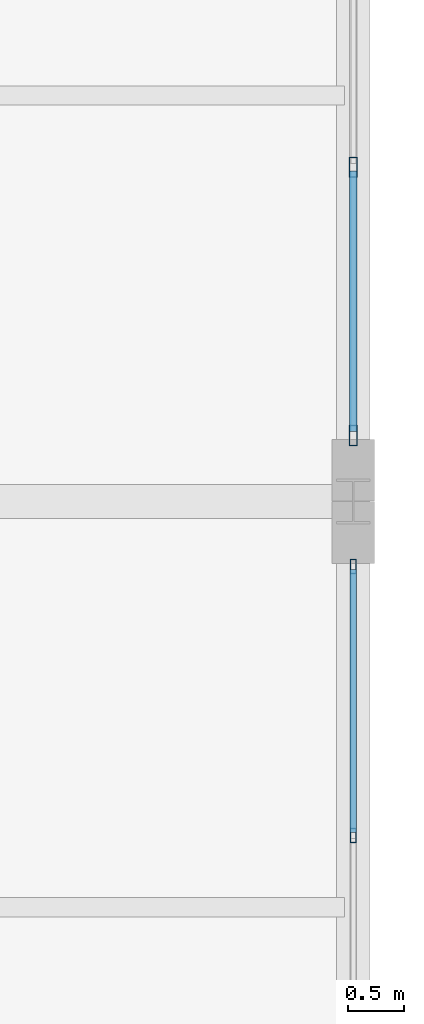
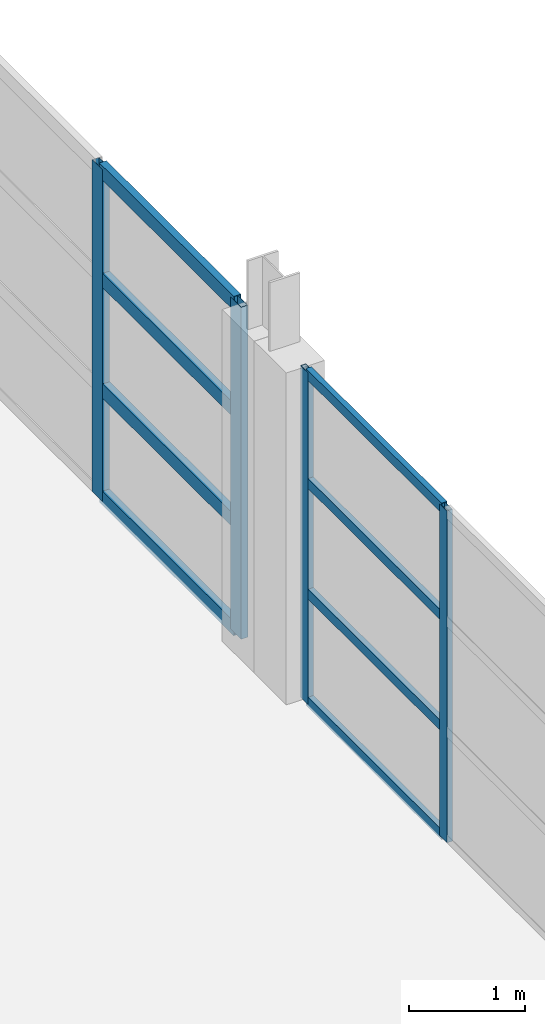
# One storey, part 90 of 158: 12 members, 2 elements without a shape of their own.
"""IFC4 building model written with IfcOpenShell, lengths in metres."""

from ifc_helpers import new_model, si_unit, direction, frame, origin, origin_2d, place, context, subcontext, project, spatial, hollow_rectangle, extrude, material, layer, layer_set, material_profile, profile_set, type_object, element, aggregate, save


model = new_model("IFC4")

# Units and contexts
model_context = context("Model", 3, precision=1e-05, world=origin(), true_north=direction((0.0, 1.0)))
body_context = subcontext(model_context, "Body", "Model", "MODEL_VIEW")
ifc_project = project(units=[si_unit("LENGTHUNIT", "METRE"), si_unit("AREAUNIT", "SQUARE_METRE"), si_unit("VOLUMEUNIT", "CUBIC_METRE"), si_unit("PLANEANGLEUNIT", "RADIAN"), si_unit("MASSUNIT", "GRAM", prefix="KILO")], contexts=[model_context])

# Site, building, storey
site_placement = place(None, origin())
site = spatial("IfcSite", under=ifc_project, at=site_placement, CompositionType="ELEMENT")
building_placement = place(site_placement, origin())
building = spatial("IfcBuilding", under=site, at=building_placement, Name="Zilviju Railside Exhibition Hall", CompositionType="ELEMENT")
storey_placement = place(building_placement, frame((0.0, 0.0, 4.199951171875)))
storey = spatial("IfcBuildingStorey", under=building, at=storey_placement, Name="L02", CompositionType="ELEMENT", Elevation=4.199951171875)

# Curtain wall, members
ifc_material_1 = material(Name="Thermally broken aluminium-steel triple-glazed curtain wall", Category="steel")
ifc_layer_1 = layer(ifc_material_1, 0.179931640625)
ifc_layer_set_1 = layer_set([ifc_layer_1], Name="Thermally broken aluminium-steel triple-glazed curtain wall")
curtain_wall_type_1 = type_object("IfcCurtainWallType", Name="CW-BAY-10", PredefinedType="USERDEFINED", material=ifc_layer_set_1)
curtain_wall_1_placement = place(storey_placement, origin())
curtain_wall_1 = element("IfcCurtainWall", 1, at=curtain_wall_1_placement, inside=storey, type_object=curtain_wall_type_1, Name="South Hall East Glazed Gable L02 (18..36)", ObjectType="GLAZED CURTAIN WALL", PredefinedType="USERDEFINED")
ifc_material_2 = material(Name="Thermally broken anodized aluminium mullion", Category="aluminium")
ifc_material_profile_1 = material_profile(ifc_material_2, hollow_rectangle(XDim=0.054931640625, YDim=0.1298828125, WallThickness=0.0048828125, at=origin_2d()), Name="MULLION 130x55x5")
ifc_profile_set_1 = profile_set([ifc_material_profile_1], Name="Thermally broken anodized aluminium mullion")
member_type_1 = type_object("IfcMemberType", Name="CWM-55x130", PredefinedType="MULLION", material=ifc_profile_set_1)
member_1_placement = place(storey_placement, frame((216.0, 35.422607421875, 0.0), z_axis=(0.0, 0.0, 1.0), x_axis=(1.0, 0.0, 0.0)))
member_1 = element("IfcMember", 2, at=member_1_placement, type_object=member_type_1, Name="CW-10 mullion 1", PredefinedType="MULLION", context=body_context, shape_type="SweptSolid", body=[
    extrude(hollow_rectangle(XDim=0.054931640625, YDim=0.1298828125, WallThickness=0.0048828125, at=origin_2d()), origin(), (0.0, 0.0, 1.0), 3.47998046875),
])
member_2_placement = place(storey_placement, frame((216.0, 33.03564453125, 0.0), z_axis=(0.0, 0.0, 1.0), x_axis=(1.0, 0.0, 0.0)))
member_2 = element("IfcMember", 3, at=member_2_placement, type_object=member_type_1, Name="CW-10 mullion 2", PredefinedType="MULLION", context=body_context, shape_type="SweptSolid", body=[
    extrude(hollow_rectangle(XDim=0.054931640625, YDim=0.1298828125, WallThickness=0.0048828125, at=origin_2d()), origin(), (0.0, 0.0, 1.0), 3.47998046875),
])

ifc_layer_2 = layer(ifc_material_1, 0.179931640625)
ifc_layer_set_2 = layer_set([ifc_layer_2], Name="Thermally broken aluminium-steel triple-glazed curtain wall")
curtain_wall_type_2 = type_object("IfcCurtainWallType", Name="CW-BAY-11", PredefinedType="USERDEFINED", material=ifc_layer_set_2)
curtain_wall_2_placement = place(storey_placement, origin())
curtain_wall_2 = element("IfcCurtainWall", 4, at=curtain_wall_2_placement, inside=storey, type_object=curtain_wall_type_2, Name="South Hall East Glazed Gable L02 (36..54)", ObjectType="GLAZED CURTAIN WALL", PredefinedType="USERDEFINED")
ifc_material_profile_2 = material_profile(ifc_material_2, hollow_rectangle(XDim=0.070068359375, YDim=0.179931640625, WallThickness=0.0048828125, at=origin_2d()), Name="MULLION 180x70x5")
ifc_profile_set_2 = profile_set([ifc_material_profile_2], Name="Thermally broken anodized aluminium mullion")
member_type_2 = type_object("IfcMemberType", Name="CWM-70x180", PredefinedType="MULLION", material=ifc_profile_set_2)
member_3_placement = place(storey_placement, frame((216.0, 38.96435546875, 0.0), z_axis=(0.0, 0.0, 1.0), x_axis=(1.0, 0.0, 0.0)))
member_3 = element("IfcMember", 5, at=member_3_placement, type_object=member_type_2, Name="CW-11 mullion 7", PredefinedType="MULLION", context=body_context, shape_type="SweptSolid", body=[
    extrude(hollow_rectangle(XDim=0.070068359375, YDim=0.179931640625, WallThickness=0.0048828125, at=origin_2d()), origin(), (0.0, 0.0, 1.0), 3.47998046875),
])
member_4_placement = place(storey_placement, frame((216.0, 36.5849609375, 0.0), z_axis=(0.0, 0.0, 1.0), x_axis=(1.0, 0.0, 0.0)))
member_4 = element("IfcMember", 6, at=member_4_placement, type_object=member_type_2, Name="CW-11 mullion 8", PredefinedType="MULLION", context=body_context, shape_type="SweptSolid", body=[
    extrude(hollow_rectangle(XDim=0.070068359375, YDim=0.179931640625, WallThickness=0.0048828125, at=origin_2d()), origin(), (0.0, 0.0, 1.0), 3.47998046875),
])

# Member
ifc_material_3 = material(Name="Thermally broken anodized aluminium transom", Category="aluminium")
ifc_material_profile_3 = material_profile(ifc_material_3, hollow_rectangle(XDim=0.054931640625, YDim=0.10498046875, WallThickness=0.0048828125, at=origin_2d()), Name="TRANSOM 105x55x5")
ifc_profile_set_3 = profile_set([ifc_material_profile_3], Name="Thermally broken anodized aluminium transom")
member_type_3 = type_object("IfcMemberType", Name="CWT-55x105", PredefinedType="USERDEFINED", material=ifc_profile_set_3)
member_5_placement = place(storey_placement, frame((216.0, 35.39501953125, 0.027587890625), z_axis=(0.0, -1.0, 0.0), x_axis=(1.0, 0.0, 0.0)))
member_5 = element("IfcMember", 7, at=member_5_placement, type_object=member_type_3, Name="CW-10 transom 1.1", ObjectType="TRANSOM", PredefinedType="USERDEFINED", context=body_context, shape_type="SweptSolid", body=[
    extrude(hollow_rectangle(XDim=0.054931640625, YDim=0.10498046875, WallThickness=0.0048828125, at=origin_2d()), origin(), (0.0, 0.0, 1.0), 2.331787109375),
])

member_6_placement = place(storey_placement, frame((216.0, 35.39501953125, 1.16015625), z_axis=(0.0, -1.0, 0.0), x_axis=(1.0, 0.0, 0.0)))
member_6 = element("IfcMember", 8, at=member_6_placement, type_object=member_type_3, Name="CW-10 transom 1.2", ObjectType="TRANSOM", PredefinedType="USERDEFINED", context=body_context, shape_type="SweptSolid", body=[
    extrude(hollow_rectangle(XDim=0.054931640625, YDim=0.10498046875, WallThickness=0.0048828125, at=origin_2d()), origin(), (0.0, 0.0, 1.0), 2.331787109375),
])

member_7_placement = place(storey_placement, frame((216.0, 35.39501953125, 2.320068359375), z_axis=(0.0, -1.0, 0.0), x_axis=(1.0, 0.0, 0.0)))
member_7 = element("IfcMember", 9, at=member_7_placement, type_object=member_type_3, Name="CW-10 transom 1.3", ObjectType="TRANSOM", PredefinedType="USERDEFINED", context=body_context, shape_type="SweptSolid", body=[
    extrude(hollow_rectangle(XDim=0.054931640625, YDim=0.10498046875, WallThickness=0.0048828125, at=origin_2d()), origin(), (0.0, 0.0, 1.0), 2.331787109375),
])

member_8_placement = place(storey_placement, frame((216.0, 35.39501953125, 3.45263671875), z_axis=(0.0, -1.0, 0.0), x_axis=(1.0, 0.0, 0.0)))
member_8 = element("IfcMember", 10, at=member_8_placement, type_object=member_type_3, Name="CW-10 transom 1.4", ObjectType="TRANSOM", PredefinedType="USERDEFINED", context=body_context, shape_type="SweptSolid", body=[
    extrude(hollow_rectangle(XDim=0.054931640625, YDim=0.10498046875, WallThickness=0.0048828125, at=origin_2d()), origin(), (0.0, 0.0, 1.0), 2.331787109375),
])

aggregate(curtain_wall_1, [member_1, member_2, member_5, member_6, member_7, member_8])

ifc_material_profile_4 = material_profile(ifc_material_3, hollow_rectangle(XDim=0.070068359375, YDim=0.14990234375, WallThickness=0.0048828125, at=origin_2d()), Name="TRANSOM 150x70x5")
ifc_profile_set_4 = profile_set([ifc_material_profile_4], Name="Thermally broken anodized aluminium transom")
member_type_4 = type_object("IfcMemberType", Name="CWT-70x150", PredefinedType="USERDEFINED", material=ifc_profile_set_4)
member_9_placement = place(storey_placement, frame((216.0, 38.92919921875, 0.03515625), z_axis=(0.0, -1.0, 0.0), x_axis=(1.0, 0.0, 0.0)))
member_9 = element("IfcMember", 11, at=member_9_placement, type_object=member_type_4, Name="CW-11 transom 7.1", ObjectType="TRANSOM", PredefinedType="USERDEFINED", context=body_context, shape_type="SweptSolid", body=[
    extrude(hollow_rectangle(XDim=0.070068359375, YDim=0.14990234375, WallThickness=0.0048828125, at=origin_2d()), origin(), (0.0, 0.0, 1.0), 2.30908203125),
])

member_10_placement = place(storey_placement, frame((216.0, 38.92919921875, 1.16015625), z_axis=(0.0, -1.0, 0.0), x_axis=(1.0, 0.0, 0.0)))
member_10 = element("IfcMember", 12, at=member_10_placement, type_object=member_type_4, Name="CW-11 transom 7.2", ObjectType="TRANSOM", PredefinedType="USERDEFINED", context=body_context, shape_type="SweptSolid", body=[
    extrude(hollow_rectangle(XDim=0.070068359375, YDim=0.14990234375, WallThickness=0.0048828125, at=origin_2d()), origin(), (0.0, 0.0, 1.0), 2.30908203125),
])

member_11_placement = place(storey_placement, frame((216.0, 38.92919921875, 2.320068359375), z_axis=(0.0, -1.0, 0.0), x_axis=(1.0, 0.0, 0.0)))
member_11 = element("IfcMember", 13, at=member_11_placement, type_object=member_type_4, Name="CW-11 transom 7.3", ObjectType="TRANSOM", PredefinedType="USERDEFINED", context=body_context, shape_type="SweptSolid", body=[
    extrude(hollow_rectangle(XDim=0.070068359375, YDim=0.14990234375, WallThickness=0.0048828125, at=origin_2d()), origin(), (0.0, 0.0, 1.0), 2.30908203125),
])

member_12_placement = place(storey_placement, frame((216.0, 38.92919921875, 3.445068359375), z_axis=(0.0, -1.0, 0.0), x_axis=(1.0, 0.0, 0.0)))
member_12 = element("IfcMember", 14, at=member_12_placement, type_object=member_type_4, Name="CW-11 transom 7.4", ObjectType="TRANSOM", PredefinedType="USERDEFINED", context=body_context, shape_type="SweptSolid", body=[
    extrude(hollow_rectangle(XDim=0.070068359375, YDim=0.14990234375, WallThickness=0.0048828125, at=origin_2d()), origin(), (0.0, 0.0, 1.0), 2.30908203125),
])

aggregate(curtain_wall_2, [member_3, member_4, member_9, member_10, member_11, member_12])

save(model, "model.ifc")
